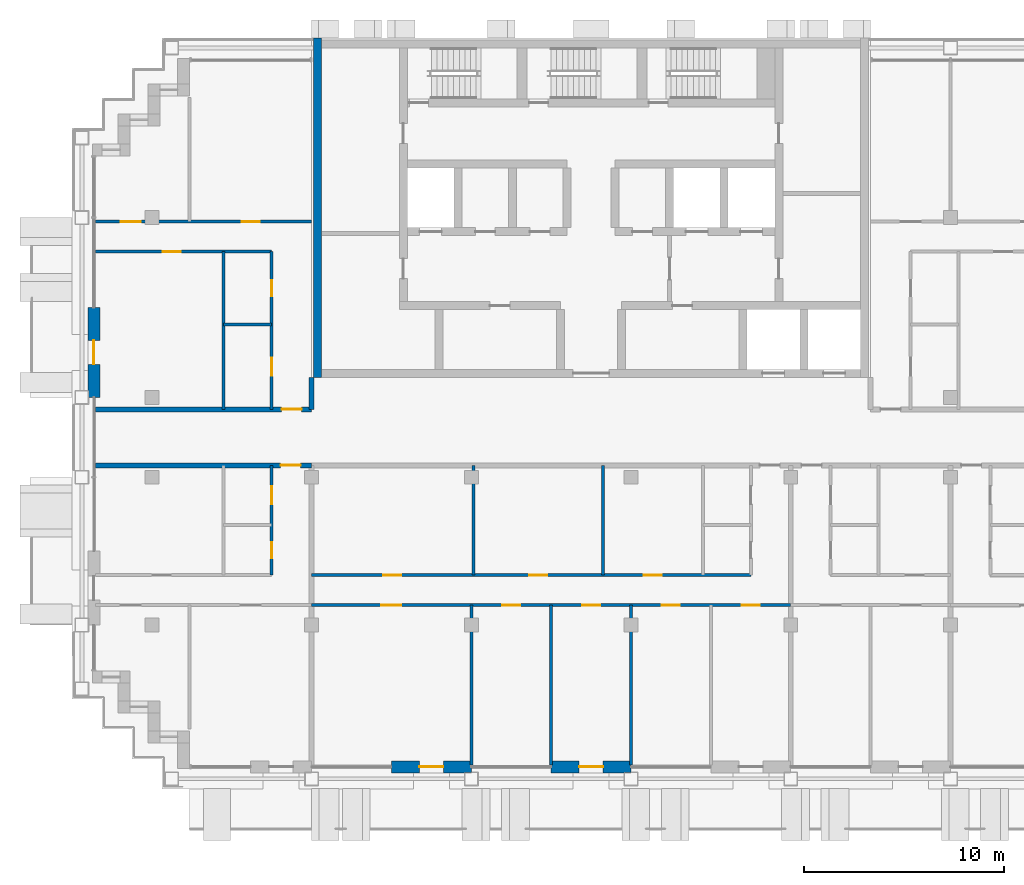
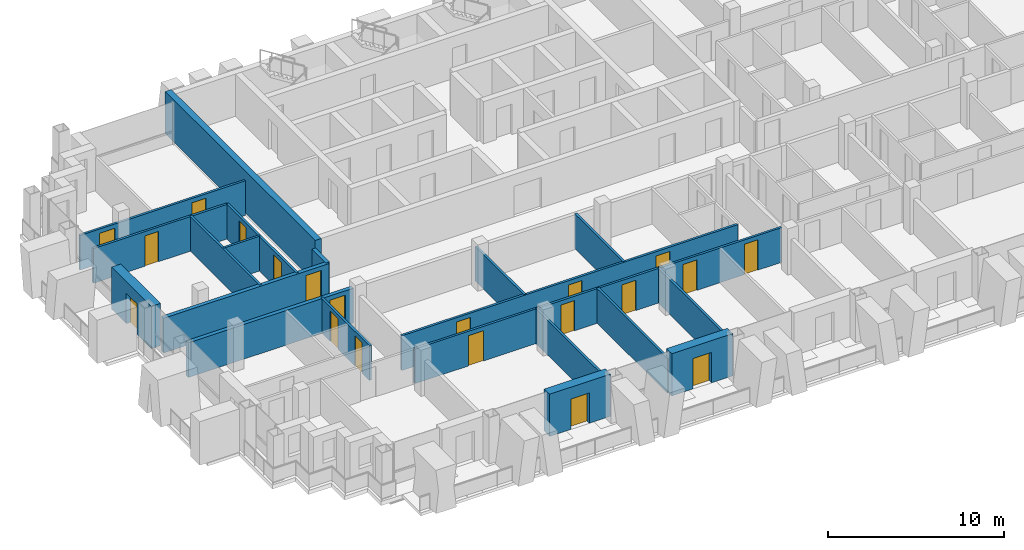
# One storey, part 8 of 16: 20 doors, 20 walls, 20 openings.
"""IFC4 building model written with IfcOpenShell, lengths in metres."""

from ifc_helpers import new_model, si_unit, direction, frame, frame_2d, origin, place, context, subcontext, project, spatial, rectangle, extrude, material, layer, layer_set, type_object, element, fill, save


model = new_model("IFC4")

# Units and contexts
model_context = context("Model", 3, precision=1e-05, world=origin(), true_north=direction((0.0, 1.0)))
body_context = subcontext(model_context, "Body", "Model", "MODEL_VIEW")
ifc_project = project(units=[si_unit("LENGTHUNIT", "METRE"), si_unit("AREAUNIT", "SQUARE_METRE"), si_unit("VOLUMEUNIT", "CUBIC_METRE"), si_unit("PLANEANGLEUNIT", "RADIAN"), si_unit("MASSUNIT", "GRAM", prefix="KILO")], contexts=[model_context])

# Site, building, storey
site_placement = place(None, origin())
site = spatial("IfcSite", under=ifc_project, at=site_placement, CompositionType="ELEMENT")
building_placement = place(site_placement, origin())
building = spatial("IfcBuilding", under=site, at=building_placement, Name="Vidyagriha Tower", CompositionType="ELEMENT")
storey_placement = place(building_placement, frame((0.0, 0.0, 187.699951171875)))
storey = spatial("IfcBuildingStorey", under=building, at=storey_placement, Name="L49", CompositionType="ELEMENT", Elevation=187.699951171875)

# Wall, opening, door
ifc_material_1 = material(Name="Precast concrete C40/50 with brick facing", Category="concrete")
ifc_layer_1 = layer(ifc_material_1, 0.60009765625)
ifc_layer_set_1 = layer_set([ifc_layer_1], Name="Precast concrete C40/50 with brick facing")
wall_type_1 = type_object("IfcWallType", Name="Brick-faced precast wall 600", PredefinedType="STANDARD", material=ifc_layer_set_1)
wall_1_placement = place(storey_placement, frame((-24.89990234375, 6.5, 0.0), z_axis=(0.0, 0.0, 1.0), x_axis=(0.0, -1.0, 0.0)))
wall_1 = element("IfcWall", 1, at=wall_1_placement, inside=storey, type_object=wall_type_1, Name="Brick door bay wall L49 R16.3", PredefinedType="STANDARD", context=body_context, shape_type="SweptSolid", body=[
    extrude(rectangle(XDim=4.5, YDim=0.60009765625, at=frame_2d((2.25, 0.0))), origin(), (0.0, 0.0, 1.0), 2.920166015625),
])
opening_1_placement = place(wall_1_placement, frame((1.64990234375, 0.0, 0.0)))
opening_1 = element("IfcOpeningElement", 2, at=opening_1_placement, cuts=wall_1, Name="Opening D49-67", PredefinedType="OPENING", context=body_context, shape_type="SweptSolid", body=[
    extrude(rectangle(XDim=1.199951171875, YDim=2.10009765625, at=frame_2d((0.60009765625, 1.050048828125))), frame((0.0, 0.31005859375, 0.0), z_axis=(0.0, -1.0, 0.0), x_axis=(1.0, 0.0, 0.0)), (0.0, 0.0, 1.0), 0.6201171875),
])
ifc_material_2 = material(Name="Aluminium framed glazed sliding door", Category="aluminium")
door_type_1 = type_object("IfcDoorType", Name="Balcony sliding door 1200x2100", OperationType="NOTDEFINED", PredefinedType="DOOR", material=ifc_material_2)
door_1_placement = place(opening_1_placement, origin())
door_1 = element("IfcDoor", 3, at=door_1_placement, inside=storey, type_object=door_type_1, Name="Door D49-67", OperationType="SLIDING_TO_LEFT", OverallHeight=2.10009765625, OverallWidth=1.199951171875, PredefinedType="DOOR", context=body_context, shape_type="SweptSolid", body=[
    extrude(rectangle(XDim=1.199951171875, YDim=2.10009765625, at=frame_2d((0.60009765625, 1.050048828125))), frame((0.0, 0.02490234375, 0.0), z_axis=(0.0, -1.0, 0.0), x_axis=(1.0, 0.0, 0.0)), (0.0, 0.0, 1.0), 0.050048828125),
])
fill(opening_1, door_1)

wall_2_placement = place(storey_placement, frame((-10.0, -16.5, 0.0)))
wall_2 = element("IfcWall", 4, at=wall_2_placement, inside=storey, type_object=wall_type_1, Name="Brick door bay wall L49 R23.4", PredefinedType="STANDARD", context=body_context, shape_type="SweptSolid", body=[
    extrude(rectangle(XDim=4.0, YDim=0.60009765625, at=frame_2d((2.0, 0.0))), origin(), (0.0, 0.0, 1.0), 2.920166015625),
])
opening_2_placement = place(wall_2_placement, frame((1.39990234375, 0.0, 0.0)))
opening_2 = element("IfcOpeningElement", 5, at=opening_2_placement, cuts=wall_2, Name="Opening D49-70", PredefinedType="OPENING", context=body_context, shape_type="SweptSolid", body=[
    extrude(rectangle(XDim=1.199951171875, YDim=2.10009765625, at=frame_2d((0.60009765625, 1.050048828125))), frame((0.0, 0.31005859375, 0.0), z_axis=(0.0, -1.0, 0.0), x_axis=(1.0, 0.0, 0.0)), (0.0, 0.0, 1.0), 0.6201171875),
])
door_2_placement = place(opening_2_placement, origin())
door_2 = element("IfcDoor", 6, at=door_2_placement, inside=storey, type_object=door_type_1, Name="Door D49-70", OperationType="SLIDING_TO_LEFT", OverallHeight=2.10009765625, OverallWidth=1.199951171875, PredefinedType="DOOR", context=body_context, shape_type="SweptSolid", body=[
    extrude(rectangle(XDim=1.199951171875, YDim=2.10009765625, at=frame_2d((0.60009765625, 1.050048828125))), frame((0.0, 0.02490234375, 0.0), z_axis=(0.0, -1.0, 0.0), x_axis=(1.0, 0.0, 0.0)), (0.0, 0.0, 1.0), 0.050048828125),
])
fill(opening_2, door_2)

wall_3_placement = place(storey_placement, frame((-2.0, -16.5, 0.0)))
wall_3 = element("IfcWall", 7, at=wall_3_placement, inside=storey, type_object=wall_type_1, Name="Brick door bay wall L49 R23.6", PredefinedType="STANDARD", context=body_context, shape_type="SweptSolid", body=[
    extrude(rectangle(XDim=4.0, YDim=0.60009765625, at=frame_2d((2.0, 0.0))), origin(), (0.0, 0.0, 1.0), 2.920166015625),
])
opening_3_placement = place(wall_3_placement, frame((1.39990234375, 0.0, 0.0)))
opening_3 = element("IfcOpeningElement", 8, at=opening_3_placement, cuts=wall_3, Name="Opening D49-71", PredefinedType="OPENING", context=body_context, shape_type="SweptSolid", body=[
    extrude(rectangle(XDim=1.199951171875, YDim=2.10009765625, at=frame_2d((0.60009765625, 1.050048828125))), frame((0.0, 0.31005859375, 0.0), z_axis=(0.0, -1.0, 0.0), x_axis=(1.0, 0.0, 0.0)), (0.0, 0.0, 1.0), 0.6201171875),
])
door_3_placement = place(opening_3_placement, origin())
door_3 = element("IfcDoor", 9, at=door_3_placement, inside=storey, type_object=door_type_1, Name="Door D49-71", OperationType="SLIDING_TO_LEFT", OverallHeight=2.10009765625, OverallWidth=1.199951171875, PredefinedType="DOOR", context=body_context, shape_type="SweptSolid", body=[
    extrude(rectangle(XDim=1.199951171875, YDim=2.10009765625, at=frame_2d((0.60009765625, 1.050048828125))), frame((0.0, 0.02490234375, 0.0), z_axis=(0.0, -1.0, 0.0), x_axis=(1.0, 0.0, 0.0)), (0.0, 0.0, 1.0), 0.050048828125),
])
fill(opening_3, door_3)

# Wall
ifc_material_3 = material(Name="Concrete C60/75", Category="concrete")
ifc_layer_2 = layer(ifc_material_3, 0.39990234375)
ifc_layer_set_2 = layer_set([ifc_layer_2], Name="Concrete C60/75")
wall_type_2 = type_object("IfcWallType", Name="Core shear wall 400 mm", PredefinedType="SHEAR", material=ifc_layer_set_2)
wall_4_placement = place(storey_placement, frame((-13.699951171875, 3.0, 0.0), z_axis=(0.0, 0.0, 1.0), x_axis=(0.0, 1.0, 0.0)))
element("IfcWall", 10, at=wall_4_placement, inside=storey, type_object=wall_type_2, Name="Core west wall", PredefinedType="SHEAR", context=body_context, shape_type="SweptSolid", body=[
    extrude(rectangle(XDim=17.0, YDim=0.39990234375, at=frame_2d((8.5, 0.0))), origin(), (0.0, 0.0, 1.0), 2.920166015625),
])

# Wall, opening, door
ifc_material_4 = material(Name="Fired clay brick masonry", Category="masonry")
ifc_layer_3 = layer(ifc_material_4, 0.25)
ifc_layer_set_3 = layer_set([ifc_layer_3], Name="Fired clay brick masonry")
wall_type_3 = type_object("IfcWallType", Name="Fired clay brick corridor wall 250", PredefinedType="PARTITIONING", material=ifc_layer_set_3)
wall_5_placement = place(storey_placement, frame((-14.0, -1.39990234375, 0.0), z_axis=(0.0, 0.0, 1.0), x_axis=(-1.0, 0.0, 0.0)))
wall_5 = element("IfcWall", 11, at=wall_5_placement, inside=storey, type_object=wall_type_3, Name="Wall all-L49-w068", PredefinedType="PARTITIONING", context=body_context, shape_type="SweptSolid", body=[
    extrude(rectangle(XDim=10.820068359375, YDim=0.25, at=frame_2d((5.41015625, 0.0))), origin(), (0.0, 0.0, 1.0), 2.400146484375),
])
opening_4_placement = place(wall_5_placement, frame((0.547119140625, 0.0, 0.0)))
opening_4 = element("IfcOpeningElement", 12, at=opening_4_placement, cuts=wall_5, Name="Opening D49-20", PredefinedType="OPENING", context=body_context, shape_type="SweptSolid", body=[
    extrude(rectangle(XDim=1.0, YDim=2.10009765625, at=frame_2d((0.5, 1.050048828125))), frame((0.0, 0.135009765625, 0.0), z_axis=(0.0, -1.0, 0.0), x_axis=(1.0, 0.0, 0.0)), (0.0, 0.0, 1.0), 0.27001953125),
])
ifc_material_5 = material(Name="Fire-rated timber door leaf EI 60", Category="wood")
door_type_2 = type_object("IfcDoorType", Name="Flat entrance fire door 1000x2100", OperationType="NOTDEFINED", PredefinedType="DOOR", material=ifc_material_5)
door_4_placement = place(opening_4_placement, origin())
door_4 = element("IfcDoor", 13, at=door_4_placement, inside=storey, type_object=door_type_2, Name="Door D49-20", OperationType="SINGLE_SWING_LEFT", OverallHeight=2.10009765625, OverallWidth=1.0, PredefinedType="DOOR", context=body_context, shape_type="SweptSolid", body=[
    extrude(rectangle(XDim=1.0, YDim=2.10009765625, at=frame_2d((0.5, 1.050048828125))), frame((0.0, 0.02490234375, 0.0), z_axis=(0.0, -1.0, 0.0), x_axis=(1.0, 0.0, 0.0)), (0.0, 0.0, 1.0), 0.050048828125),
])
fill(opening_4, door_4)

wall_6_placement = place(storey_placement, frame((-24.820068359375, 1.39990234375, 0.0)))
wall_6 = element("IfcWall", 14, at=wall_6_placement, inside=storey, type_object=wall_type_3, Name="Wall all-L49-w083", PredefinedType="PARTITIONING", context=body_context, shape_type="SweptSolid", body=[
    extrude(rectangle(XDim=10.820068359375, YDim=0.25, at=frame_2d((5.41015625, 0.0))), origin(), (0.0, 0.0, 1.0), 2.400146484375),
])
opening_5_placement = place(wall_6_placement, frame((9.320068359375, 0.0, 0.0)))
opening_5 = element("IfcOpeningElement", 15, at=opening_5_placement, cuts=wall_6, Name="Opening D49-52", PredefinedType="OPENING", context=body_context, shape_type="SweptSolid", body=[
    extrude(rectangle(XDim=1.0, YDim=2.10009765625, at=frame_2d((0.5, 1.050048828125))), frame((0.0, 0.135009765625, 0.0), z_axis=(0.0, -1.0, 0.0), x_axis=(1.0, 0.0, 0.0)), (0.0, 0.0, 1.0), 0.27001953125),
])
door_5_placement = place(opening_5_placement, origin())
door_5 = element("IfcDoor", 16, at=door_5_placement, inside=storey, type_object=door_type_2, Name="Door D49-52", OperationType="SINGLE_SWING_RIGHT", OverallHeight=2.10009765625, OverallWidth=1.0, PredefinedType="DOOR", context=body_context, shape_type="SweptSolid", body=[
    extrude(rectangle(XDim=1.0, YDim=2.10009765625, at=frame_2d((0.5, 1.050048828125))), frame((0.0, 0.02490234375, 0.0), z_axis=(0.0, -1.0, 0.0), x_axis=(1.0, 0.0, 0.0)), (0.0, 0.0, 1.0), 0.050048828125),
])
fill(opening_5, door_5)

# Walls
wall_7_placement = place(storey_placement, frame((-14.0, 3.0, 0.0), z_axis=(0.0, 0.0, 1.0), x_axis=(0.0, -1.0, 0.0)))
element("IfcWall", 17, at=wall_7_placement, inside=storey, type_object=wall_type_3, Name="Wall all-L49-w116", PredefinedType="PARTITIONING", context=body_context, shape_type="SweptSolid", body=[
    extrude(rectangle(XDim=1.60009765625, YDim=0.25, at=frame_2d((0.800048828125, 0.0))), origin(), (0.0, 0.0, 1.0), 2.400146484375),
])
ifc_material_6 = material(Name="Gypsum board partition")
ifc_layer_4 = layer(ifc_material_6, 0.14990234375)
ifc_layer_set_4 = layer_set([ifc_layer_4], Name="Gypsum board partition")
wall_type_4 = type_object("IfcWallType", Name="Gypsum board partition 150", PredefinedType="PARTITIONING", material=ifc_layer_set_4)
for number, where, z_axis, x_axis, name in (
    (18, (0.60009765625, -6.89990234375, 0.0), (0.0, 0.0, 1.0), (0.0, 1.0, 0.0), "Wall all-L49-w018"),
    (19, (-5.89990234375, -6.89990234375, 0.0), (0.0, 0.0, 1.0), (0.0, 1.0, 0.0), "Wall all-L49-w019"),
):
    element("IfcWall", number, at=place(storey_placement, frame(where, z_axis=z_axis, x_axis=x_axis)), inside=storey, type_object=wall_type_4, Name=name, PredefinedType="PARTITIONING", context=body_context, shape_type="SweptSolid", body=[
        extrude(rectangle(XDim=5.5, YDim=0.14990234375, at=frame_2d((2.75, 0.0))), origin(), (0.0, 0.0, 1.0), 2.400146484375),
    ])

# Wall, openings, doors
wall_8_placement = place(storey_placement, frame((-14.0, -6.89990234375, 0.0)))
wall_8 = element("IfcWall", 20, at=wall_8_placement, inside=storey, type_object=wall_type_4, Name="Wall all-L49-w020", PredefinedType="PARTITIONING", context=body_context, shape_type="SweptSolid", body=[
    extrude(rectangle(XDim=22.0, YDim=0.14990234375, at=frame_2d((11.0, 0.0))), origin(), (0.0, 0.0, 1.0), 2.400146484375),
])
opening_6_placement = place(wall_8_placement, frame((16.64990234375, 0.0, 0.0)))
opening_6 = element("IfcOpeningElement", 21, at=opening_6_placement, cuts=wall_8, Name="Opening D49-23", PredefinedType="OPENING", context=body_context, shape_type="SweptSolid", body=[
    extrude(rectangle(XDim=0.89990234375, YDim=2.10009765625, at=frame_2d((0.449951171875, 1.050048828125))), frame((0.0, 0.0849609375, 0.0), z_axis=(0.0, -1.0, 0.0), x_axis=(1.0, 0.0, 0.0)), (0.0, 0.0, 1.0), 0.169921875),
])
opening_7_placement = place(wall_8_placement, frame((10.89990234375, 0.0, 0.0)))
opening_7 = element("IfcOpeningElement", 22, at=opening_7_placement, cuts=wall_8, Name="Opening D49-24", PredefinedType="OPENING", context=body_context, shape_type="SweptSolid", body=[
    extrude(rectangle(XDim=0.89990234375, YDim=2.10009765625, at=frame_2d((0.449951171875, 1.050048828125))), frame((0.0, 0.0849609375, 0.0), z_axis=(0.0, -1.0, 0.0), x_axis=(1.0, 0.0, 0.0)), (0.0, 0.0, 1.0), 0.169921875),
])
opening_8_placement = place(wall_8_placement, frame((3.60009765625, 0.0, 0.0)))
opening_8 = element("IfcOpeningElement", 23, at=opening_8_placement, cuts=wall_8, Name="Opening D49-25", PredefinedType="OPENING", context=body_context, shape_type="SweptSolid", body=[
    extrude(rectangle(XDim=0.89990234375, YDim=2.10009765625, at=frame_2d((0.449951171875, 1.050048828125))), frame((0.0, 0.0849609375, 0.0), z_axis=(0.0, -1.0, 0.0), x_axis=(1.0, 0.0, 0.0)), (0.0, 0.0, 1.0), 0.169921875),
])
ifc_material_7 = material(Name="Timber door leaf", Category="wood")
door_type_3 = type_object("IfcDoorType", Name="Room door 900x2100", OperationType="NOTDEFINED", PredefinedType="DOOR", material=ifc_material_7)
door_6_placement = place(opening_6_placement, origin())
door_6 = element("IfcDoor", 24, at=door_6_placement, inside=storey, type_object=door_type_3, Name="Door D49-23", OperationType="SINGLE_SWING_RIGHT", OverallHeight=2.10009765625, OverallWidth=0.89990234375, PredefinedType="DOOR", context=body_context, shape_type="SweptSolid", body=[
    extrude(rectangle(XDim=0.89990234375, YDim=2.10009765625, at=frame_2d((0.449951171875, 1.050048828125))), frame((0.0, 0.02490234375, 0.0), z_axis=(0.0, -1.0, 0.0), x_axis=(1.0, 0.0, 0.0)), (0.0, 0.0, 1.0), 0.050048828125),
])
fill(opening_6, door_6)
door_7_placement = place(opening_7_placement, origin())
door_7 = element("IfcDoor", 25, at=door_7_placement, inside=storey, type_object=door_type_3, Name="Door D49-24", OperationType="SINGLE_SWING_LEFT", OverallHeight=2.10009765625, OverallWidth=0.89990234375, PredefinedType="DOOR", context=body_context, shape_type="SweptSolid", body=[
    extrude(rectangle(XDim=0.89990234375, YDim=2.10009765625, at=frame_2d((0.449951171875, 1.050048828125))), frame((0.0, 0.02490234375, 0.0), z_axis=(0.0, -1.0, 0.0), x_axis=(1.0, 0.0, 0.0)), (0.0, 0.0, 1.0), 0.050048828125),
])
fill(opening_7, door_7)
door_8_placement = place(opening_8_placement, origin())
door_8 = element("IfcDoor", 26, at=door_8_placement, inside=storey, type_object=door_type_3, Name="Door D49-25", OperationType="SINGLE_SWING_RIGHT", OverallHeight=2.10009765625, OverallWidth=0.89990234375, PredefinedType="DOOR", context=body_context, shape_type="SweptSolid", body=[
    extrude(rectangle(XDim=0.89990234375, YDim=2.10009765625, at=frame_2d((0.449951171875, 1.050048828125))), frame((0.0, 0.02490234375, 0.0), z_axis=(0.0, -1.0, 0.0), x_axis=(1.0, 0.0, 0.0)), (0.0, 0.0, 1.0), 0.050048828125),
])
fill(opening_8, door_8)

wall_9_placement = place(storey_placement, frame((10.0, -8.39990234375, 0.0), z_axis=(0.0, 0.0, 1.0), x_axis=(-1.0, 0.0, 0.0)))
wall_9 = element("IfcWall", 27, at=wall_9_placement, inside=storey, type_object=wall_type_4, Name="Wall all-L49-w024", PredefinedType="PARTITIONING", context=body_context, shape_type="SweptSolid", body=[
    extrude(rectangle(XDim=24.0, YDim=0.14990234375, at=frame_2d((12.0, 0.0))), origin(), (0.0, 0.0, 1.0), 2.400146484375),
])
opening_9_placement = place(wall_9_placement, frame((19.5, 0.0, 0.0)))
opening_9 = element("IfcOpeningElement", 28, at=opening_9_placement, cuts=wall_9, Name="Opening D49-26", PredefinedType="OPENING", context=body_context, shape_type="SweptSolid", body=[
    extrude(rectangle(XDim=1.0, YDim=2.10009765625, at=frame_2d((0.5, 1.050048828125))), frame((0.0, 0.0849609375, 0.0), z_axis=(0.0, -1.0, 0.0), x_axis=(1.0, 0.0, 0.0)), (0.0, 0.0, 1.0), 0.169921875),
])
opening_10_placement = place(wall_9_placement, frame((13.550048828125, 0.0, 0.0)))
opening_10 = element("IfcOpeningElement", 29, at=opening_10_placement, cuts=wall_9, Name="Opening D49-27", PredefinedType="OPENING", context=body_context, shape_type="SweptSolid", body=[
    extrude(rectangle(XDim=0.89990234375, YDim=2.10009765625, at=frame_2d((0.449951171875, 1.050048828125))), frame((0.0, 0.0849609375, 0.0), z_axis=(0.0, -1.0, 0.0), x_axis=(1.0, 0.0, 0.0)), (0.0, 0.0, 1.0), 0.169921875),
])
opening_11_placement = place(wall_9_placement, frame((9.550048828125, 0.0, 0.0)))
opening_11 = element("IfcOpeningElement", 30, at=opening_11_placement, cuts=wall_9, Name="Opening D49-28", PredefinedType="OPENING", context=body_context, shape_type="SweptSolid", body=[
    extrude(rectangle(XDim=0.89990234375, YDim=2.10009765625, at=frame_2d((0.449951171875, 1.050048828125))), frame((0.0, 0.0849609375, 0.0), z_axis=(0.0, -1.0, 0.0), x_axis=(1.0, 0.0, 0.0)), (0.0, 0.0, 1.0), 0.169921875),
])
opening_12_placement = place(wall_9_placement, frame((5.550048828125, 0.0, 0.0)))
opening_12 = element("IfcOpeningElement", 31, at=opening_12_placement, cuts=wall_9, Name="Opening D49-29", PredefinedType="OPENING", context=body_context, shape_type="SweptSolid", body=[
    extrude(rectangle(XDim=0.89990234375, YDim=2.10009765625, at=frame_2d((0.449951171875, 1.050048828125))), frame((0.0, 0.0849609375, 0.0), z_axis=(0.0, -1.0, 0.0), x_axis=(1.0, 0.0, 0.0)), (0.0, 0.0, 1.0), 0.169921875),
])
opening_13_placement = place(wall_9_placement, frame((1.550048828125, 0.0, 0.0)))
opening_13 = element("IfcOpeningElement", 32, at=opening_13_placement, cuts=wall_9, Name="Opening D49-30", PredefinedType="OPENING", context=body_context, shape_type="SweptSolid", body=[
    extrude(rectangle(XDim=0.89990234375, YDim=2.10009765625, at=frame_2d((0.449951171875, 1.050048828125))), frame((0.0, 0.0849609375, 0.0), z_axis=(0.0, -1.0, 0.0), x_axis=(1.0, 0.0, 0.0)), (0.0, 0.0, 1.0), 0.169921875),
])
ifc_material_8 = material(Name="Timber door leaf", Category="wood")
door_type_4 = type_object("IfcDoorType", Name="Room door 1000x2100", OperationType="NOTDEFINED", PredefinedType="DOOR", material=ifc_material_8)
door_9_placement = place(opening_9_placement, origin())
door_9 = element("IfcDoor", 33, at=door_9_placement, inside=storey, type_object=door_type_4, Name="Door D49-26", OperationType="SINGLE_SWING_RIGHT", OverallHeight=2.10009765625, OverallWidth=1.0, PredefinedType="DOOR", context=body_context, shape_type="SweptSolid", body=[
    extrude(rectangle(XDim=1.0, YDim=2.10009765625, at=frame_2d((0.5, 1.050048828125))), frame((0.0, 0.02490234375, 0.0), z_axis=(0.0, -1.0, 0.0), x_axis=(1.0, 0.0, 0.0)), (0.0, 0.0, 1.0), 0.050048828125),
])
fill(opening_9, door_9)
door_10_placement = place(opening_10_placement, origin())
door_10 = element("IfcDoor", 34, at=door_10_placement, inside=storey, type_object=door_type_3, Name="Door D49-27", OperationType="SINGLE_SWING_RIGHT", OverallHeight=2.10009765625, OverallWidth=0.89990234375, PredefinedType="DOOR", context=body_context, shape_type="SweptSolid", body=[
    extrude(rectangle(XDim=0.89990234375, YDim=2.10009765625, at=frame_2d((0.449951171875, 1.050048828125))), frame((0.0, 0.02490234375, 0.0), z_axis=(0.0, -1.0, 0.0), x_axis=(1.0, 0.0, 0.0)), (0.0, 0.0, 1.0), 0.050048828125),
])
fill(opening_10, door_10)
door_11_placement = place(opening_11_placement, origin())
door_11 = element("IfcDoor", 35, at=door_11_placement, inside=storey, type_object=door_type_3, Name="Door D49-28", OperationType="SINGLE_SWING_RIGHT", OverallHeight=2.10009765625, OverallWidth=0.89990234375, PredefinedType="DOOR", context=body_context, shape_type="SweptSolid", body=[
    extrude(rectangle(XDim=0.89990234375, YDim=2.10009765625, at=frame_2d((0.449951171875, 1.050048828125))), frame((0.0, 0.02490234375, 0.0), z_axis=(0.0, -1.0, 0.0), x_axis=(1.0, 0.0, 0.0)), (0.0, 0.0, 1.0), 0.050048828125),
])
fill(opening_11, door_11)
door_12_placement = place(opening_12_placement, origin())
door_12 = element("IfcDoor", 36, at=door_12_placement, inside=storey, type_object=door_type_3, Name="Door D49-29", OperationType="SINGLE_SWING_RIGHT", OverallHeight=2.10009765625, OverallWidth=0.89990234375, PredefinedType="DOOR", context=body_context, shape_type="SweptSolid", body=[
    extrude(rectangle(XDim=0.89990234375, YDim=2.10009765625, at=frame_2d((0.449951171875, 1.050048828125))), frame((0.0, 0.02490234375, 0.0), z_axis=(0.0, -1.0, 0.0), x_axis=(1.0, 0.0, 0.0)), (0.0, 0.0, 1.0), 0.050048828125),
])
fill(opening_12, door_12)
door_13_placement = place(opening_13_placement, origin())
door_13 = element("IfcDoor", 37, at=door_13_placement, inside=storey, type_object=door_type_3, Name="Door D49-30", OperationType="SINGLE_SWING_RIGHT", OverallHeight=2.10009765625, OverallWidth=0.89990234375, PredefinedType="DOOR", context=body_context, shape_type="SweptSolid", body=[
    extrude(rectangle(XDim=0.89990234375, YDim=2.10009765625, at=frame_2d((0.449951171875, 1.050048828125))), frame((0.0, 0.02490234375, 0.0), z_axis=(0.0, -1.0, 0.0), x_axis=(1.0, 0.0, 0.0)), (0.0, 0.0, 1.0), 0.050048828125),
])
fill(opening_13, door_13)

# Walls
wall_10_placement = place(storey_placement, frame((-6.0, -8.39990234375, 0.0), z_axis=(0.0, 0.0, 1.0), x_axis=(0.0, -1.0, 0.0)))
element("IfcWall", 38, at=wall_10_placement, inside=storey, type_object=wall_type_4, Name="Wall all-L49-w030", PredefinedType="PARTITIONING", context=body_context, shape_type="SweptSolid", body=[
    extrude(rectangle(XDim=8.010009765625, YDim=0.14990234375, at=frame_2d((4.0048828125, 0.0))), origin(), (0.0, 0.0, 1.0), 2.400146484375),
])
wall_11_placement = place(storey_placement, frame((-2.0, -8.39990234375, 0.0), z_axis=(0.0, 0.0, 1.0), x_axis=(0.0, -1.0, 0.0)))
element("IfcWall", 39, at=wall_11_placement, inside=storey, type_object=wall_type_4, Name="Wall all-L49-w031", PredefinedType="PARTITIONING", context=body_context, shape_type="SweptSolid", body=[
    extrude(rectangle(XDim=8.02099609375, YDim=0.14990234375, at=frame_2d((4.010498046875, 0.0))), origin(), (0.0, 0.0, 1.0), 2.400146484375),
])
wall_12_placement = place(storey_placement, frame((2.0, -8.39990234375, 0.0), z_axis=(0.0, 0.0, 1.0), x_axis=(0.0, -1.0, 0.0)))
element("IfcWall", 40, at=wall_12_placement, inside=storey, type_object=wall_type_4, Name="Wall all-L49-w032", PredefinedType="PARTITIONING", context=body_context, shape_type="SweptSolid", body=[
    extrude(rectangle(XDim=8.010009765625, YDim=0.14990234375, at=frame_2d((4.0048828125, 0.0))), origin(), (0.0, 0.0, 1.0), 2.400146484375),
])
wall_13_placement = place(storey_placement, frame((-18.39990234375, 5.64990234375, 0.0)))
element("IfcWall", 41, at=wall_13_placement, inside=storey, type_object=wall_type_4, Name="Wall all-L49-w074", PredefinedType="PARTITIONING", context=body_context, shape_type="SweptSolid", body=[
    extrude(rectangle(XDim=2.39990234375, YDim=0.14990234375, at=frame_2d((1.199951171875, 0.0))), origin(), (0.0, 0.0, 1.0), 2.400146484375),
])
wall_14_placement = place(storey_placement, frame((-18.39990234375, 1.39990234375, 0.0), z_axis=(0.0, 0.0, 1.0), x_axis=(0.0, 1.0, 0.0)))
element("IfcWall", 42, at=wall_14_placement, inside=storey, type_object=wall_type_4, Name="Wall all-L49-w075", PredefinedType="PARTITIONING", context=body_context, shape_type="SweptSolid", body=[
    extrude(rectangle(XDim=7.900146484375, YDim=0.14990234375, at=frame_2d((3.9501953125, 0.0))), origin(), (0.0, 0.0, 1.0), 2.400146484375),
])

# Wall, opening, door
wall_15_placement = place(storey_placement, frame((-16.0, 9.300048828125, 0.0), z_axis=(0.0, 0.0, 1.0), x_axis=(-1.0, 0.0, 0.0)))
wall_15 = element("IfcWall", 43, at=wall_15_placement, inside=storey, type_object=wall_type_4, Name="Wall all-L49-w076", PredefinedType="PARTITIONING", context=body_context, shape_type="SweptSolid", body=[
    extrude(rectangle(XDim=8.820068359375, YDim=0.14990234375, at=frame_2d((4.41015625, 0.0))), origin(), (0.0, 0.0, 1.0), 2.400146484375),
])
opening_14_placement = place(wall_15_placement, frame((4.552978515625, 0.0, 0.0)))
opening_14 = element("IfcOpeningElement", 44, at=opening_14_placement, cuts=wall_15, Name="Opening D49-49", PredefinedType="OPENING", context=body_context, shape_type="SweptSolid", body=[
    extrude(rectangle(XDim=0.89990234375, YDim=2.10009765625, at=frame_2d((0.449951171875, 1.050048828125))), frame((0.0, 0.0849609375, 0.0), z_axis=(0.0, -1.0, 0.0), x_axis=(1.0, 0.0, 0.0)), (0.0, 0.0, 1.0), 0.169921875),
])
door_14_placement = place(opening_14_placement, origin())
door_14 = element("IfcDoor", 45, at=door_14_placement, inside=storey, type_object=door_type_3, Name="Door D49-49", OperationType="SINGLE_SWING_LEFT", OverallHeight=2.10009765625, OverallWidth=0.89990234375, PredefinedType="DOOR", context=body_context, shape_type="SweptSolid", body=[
    extrude(rectangle(XDim=0.89990234375, YDim=2.10009765625, at=frame_2d((0.449951171875, 1.050048828125))), frame((0.0, 0.02490234375, 0.0), z_axis=(0.0, -1.0, 0.0), x_axis=(1.0, 0.0, 0.0)), (0.0, 0.0, 1.0), 0.050048828125),
])
fill(opening_14, door_14)

# Wall, openings, doors
wall_16_placement = place(storey_placement, frame((-24.820068359375, 10.800048828125, 0.0)))
wall_16 = element("IfcWall", 46, at=wall_16_placement, inside=storey, type_object=wall_type_4, Name="Wall all-L49-w078", PredefinedType="PARTITIONING", context=body_context, shape_type="SweptSolid", body=[
    extrude(rectangle(XDim=10.820068359375, YDim=0.14990234375, at=frame_2d((5.41015625, 0.0))), origin(), (0.0, 0.0, 1.0), 2.400146484375),
])
opening_15_placement = place(wall_16_placement, frame((1.27294921875, 0.0, 0.0)))
opening_15 = element("IfcOpeningElement", 47, at=opening_15_placement, cuts=wall_16, Name="Opening D49-50", PredefinedType="OPENING", context=body_context, shape_type="SweptSolid", body=[
    extrude(rectangle(XDim=1.0, YDim=2.10009765625, at=frame_2d((0.5, 1.050048828125))), frame((0.0, 0.0849609375, 0.0), z_axis=(0.0, -1.0, 0.0), x_axis=(1.0, 0.0, 0.0)), (0.0, 0.0, 1.0), 0.169921875),
])
opening_16_placement = place(wall_16_placement, frame((7.320068359375, 0.0, 0.0)))
opening_16 = element("IfcOpeningElement", 48, at=opening_16_placement, cuts=wall_16, Name="Opening D49-51", PredefinedType="OPENING", context=body_context, shape_type="SweptSolid", body=[
    extrude(rectangle(XDim=0.89990234375, YDim=2.10009765625, at=frame_2d((0.449951171875, 1.050048828125))), frame((0.0, 0.0849609375, 0.0), z_axis=(0.0, -1.0, 0.0), x_axis=(1.0, 0.0, 0.0)), (0.0, 0.0, 1.0), 0.169921875),
])
door_15_placement = place(opening_15_placement, origin())
door_15 = element("IfcDoor", 49, at=door_15_placement, inside=storey, type_object=door_type_4, Name="Door D49-50", OperationType="SINGLE_SWING_LEFT", OverallHeight=2.10009765625, OverallWidth=1.0, PredefinedType="DOOR", context=body_context, shape_type="SweptSolid", body=[
    extrude(rectangle(XDim=1.0, YDim=2.10009765625, at=frame_2d((0.5, 1.050048828125))), frame((0.0, 0.02490234375, 0.0), z_axis=(0.0, -1.0, 0.0), x_axis=(1.0, 0.0, 0.0)), (0.0, 0.0, 1.0), 0.050048828125),
])
fill(opening_15, door_15)
door_16_placement = place(opening_16_placement, origin())
door_16 = element("IfcDoor", 50, at=door_16_placement, inside=storey, type_object=door_type_3, Name="Door D49-51", OperationType="SINGLE_SWING_RIGHT", OverallHeight=2.10009765625, OverallWidth=0.89990234375, PredefinedType="DOOR", context=body_context, shape_type="SweptSolid", body=[
    extrude(rectangle(XDim=0.89990234375, YDim=2.10009765625, at=frame_2d((0.449951171875, 1.050048828125))), frame((0.0, 0.02490234375, 0.0), z_axis=(0.0, -1.0, 0.0), x_axis=(1.0, 0.0, 0.0)), (0.0, 0.0, 1.0), 0.050048828125),
])
fill(opening_16, door_16)

ifc_material_9 = material(Name="Moisture resistant gypsum board partition")
ifc_layer_5 = layer(ifc_material_9, 0.14990234375)
ifc_layer_set_5 = layer_set([ifc_layer_5], Name="Moisture resistant gypsum board partition")
wall_type_5 = type_object("IfcWallType", Name="Gypsum board wet-area partition 150", PredefinedType="PARTITIONING", material=ifc_layer_set_5)
wall_17_placement = place(storey_placement, frame((-16.0, -6.89990234375, 0.0), z_axis=(0.0, 0.0, 1.0), x_axis=(0.0, 1.0, 0.0)))
wall_17 = element("IfcWall", 51, at=wall_17_placement, inside=storey, type_object=wall_type_5, Name="Wall all-L49-w001", PredefinedType="PARTITIONING", context=body_context, shape_type="SweptSolid", body=[
    extrude(rectangle(XDim=5.5, YDim=0.14990234375, at=frame_2d((2.75, 0.0))), origin(), (0.0, 0.0, 1.0), 2.400146484375),
])
opening_17_placement = place(wall_17_placement, frame((3.550048828125, 0.0, 0.0)))
opening_17 = element("IfcOpeningElement", 52, at=opening_17_placement, cuts=wall_17, Name="Opening D49-15", PredefinedType="OPENING", context=body_context, shape_type="SweptSolid", body=[
    extrude(rectangle(XDim=0.89990234375, YDim=2.10009765625, at=frame_2d((0.449951171875, 1.050048828125))), frame((0.0, 0.0849609375, 0.0), z_axis=(0.0, -1.0, 0.0), x_axis=(1.0, 0.0, 0.0)), (0.0, 0.0, 1.0), 0.169921875),
])
opening_18_placement = place(wall_17_placement, frame((0.85009765625, 0.0, 0.0)))
opening_18 = element("IfcOpeningElement", 53, at=opening_18_placement, cuts=wall_17, Name="Opening D49-16", PredefinedType="OPENING", context=body_context, shape_type="SweptSolid", body=[
    extrude(rectangle(XDim=0.800048828125, YDim=2.10009765625, at=frame_2d((0.39990234375, 1.050048828125))), frame((0.0, 0.0849609375, 0.0), z_axis=(0.0, -1.0, 0.0), x_axis=(1.0, 0.0, 0.0)), (0.0, 0.0, 1.0), 0.169921875),
])
ifc_material_10 = material(Name="Timber door leaf", Category="wood")
door_type_5 = type_object("IfcDoorType", Name="Bathroom door 800x2100", OperationType="NOTDEFINED", PredefinedType="DOOR", material=ifc_material_10)
door_17_placement = place(opening_18_placement, origin())
door_17 = element("IfcDoor", 54, at=door_17_placement, inside=storey, type_object=door_type_5, Name="Door D49-16", OperationType="SINGLE_SWING_RIGHT", OverallHeight=2.10009765625, OverallWidth=0.800048828125, PredefinedType="DOOR", context=body_context, shape_type="SweptSolid", body=[
    extrude(rectangle(XDim=0.800048828125, YDim=2.10009765625, at=frame_2d((0.39990234375, 1.050048828125))), frame((0.0, 0.02490234375, 0.0), z_axis=(0.0, -1.0, 0.0), x_axis=(1.0, 0.0, 0.0)), (0.0, 0.0, 1.0), 0.050048828125),
])
fill(opening_18, door_17)
ifc_material_11 = material(Name="Timber door leaf", Category="wood")
door_type_6 = type_object("IfcDoorType", Name="Kitchen door 900x2100", OperationType="NOTDEFINED", PredefinedType="DOOR", material=ifc_material_11)
door_18_placement = place(opening_17_placement, origin())
door_18 = element("IfcDoor", 55, at=door_18_placement, inside=storey, type_object=door_type_6, Name="Door D49-15", OperationType="SINGLE_SWING_LEFT", OverallHeight=2.10009765625, OverallWidth=0.89990234375, PredefinedType="DOOR", context=body_context, shape_type="SweptSolid", body=[
    extrude(rectangle(XDim=0.89990234375, YDim=2.10009765625, at=frame_2d((0.449951171875, 1.050048828125))), frame((0.0, 0.02490234375, 0.0), z_axis=(0.0, -1.0, 0.0), x_axis=(1.0, 0.0, 0.0)), (0.0, 0.0, 1.0), 0.050048828125),
])
fill(opening_17, door_18)

wall_18_placement = place(storey_placement, frame((-16.0, 1.39990234375, 0.0), z_axis=(0.0, 0.0, 1.0), x_axis=(0.0, 1.0, 0.0)))
wall_18 = element("IfcWall", 56, at=wall_18_placement, inside=storey, type_object=wall_type_5, Name="Wall all-L49-w071", PredefinedType="PARTITIONING", context=body_context, shape_type="SweptSolid", body=[
    extrude(rectangle(XDim=7.900146484375, YDim=0.14990234375, at=frame_2d((3.9501953125, 0.0))), origin(), (0.0, 0.0, 1.0), 2.400146484375),
])
opening_19_placement = place(wall_18_placement, frame((1.675048828125, 0.0, 0.0)))
opening_19 = element("IfcOpeningElement", 57, at=opening_19_placement, cuts=wall_18, Name="Opening D49-47", PredefinedType="OPENING", context=body_context, shape_type="SweptSolid", body=[
    extrude(rectangle(XDim=0.89990234375, YDim=2.10009765625, at=frame_2d((0.449951171875, 1.050048828125))), frame((0.0, 0.0849609375, 0.0), z_axis=(0.0, -1.0, 0.0), x_axis=(1.0, 0.0, 0.0)), (0.0, 0.0, 1.0), 0.169921875),
])
opening_20_placement = place(wall_18_placement, frame((5.675048828125, 0.0, 0.0)))
opening_20 = element("IfcOpeningElement", 58, at=opening_20_placement, cuts=wall_18, Name="Opening D49-48", PredefinedType="OPENING", context=body_context, shape_type="SweptSolid", body=[
    extrude(rectangle(XDim=0.800048828125, YDim=2.10009765625, at=frame_2d((0.39990234375, 1.050048828125))), frame((0.0, 0.0849609375, 0.0), z_axis=(0.0, -1.0, 0.0), x_axis=(1.0, 0.0, 0.0)), (0.0, 0.0, 1.0), 0.169921875),
])
door_19_placement = place(opening_20_placement, origin())
door_19 = element("IfcDoor", 59, at=door_19_placement, inside=storey, type_object=door_type_5, Name="Door D49-48", OperationType="SINGLE_SWING_LEFT", OverallHeight=2.10009765625, OverallWidth=0.800048828125, PredefinedType="DOOR", context=body_context, shape_type="SweptSolid", body=[
    extrude(rectangle(XDim=0.800048828125, YDim=2.10009765625, at=frame_2d((0.39990234375, 1.050048828125))), frame((0.0, 0.02490234375, 0.0), z_axis=(0.0, -1.0, 0.0), x_axis=(1.0, 0.0, 0.0)), (0.0, 0.0, 1.0), 0.050048828125),
])
fill(opening_20, door_19)
door_20_placement = place(opening_19_placement, origin())
door_20 = element("IfcDoor", 60, at=door_20_placement, inside=storey, type_object=door_type_6, Name="Door D49-47", OperationType="SINGLE_SWING_LEFT", OverallHeight=2.10009765625, OverallWidth=0.89990234375, PredefinedType="DOOR", context=body_context, shape_type="SweptSolid", body=[
    extrude(rectangle(XDim=0.89990234375, YDim=2.10009765625, at=frame_2d((0.449951171875, 1.050048828125))), frame((0.0, 0.02490234375, 0.0), z_axis=(0.0, -1.0, 0.0), x_axis=(1.0, 0.0, 0.0)), (0.0, 0.0, 1.0), 0.050048828125),
])
fill(opening_19, door_20)

save(model, "model.ifc")
